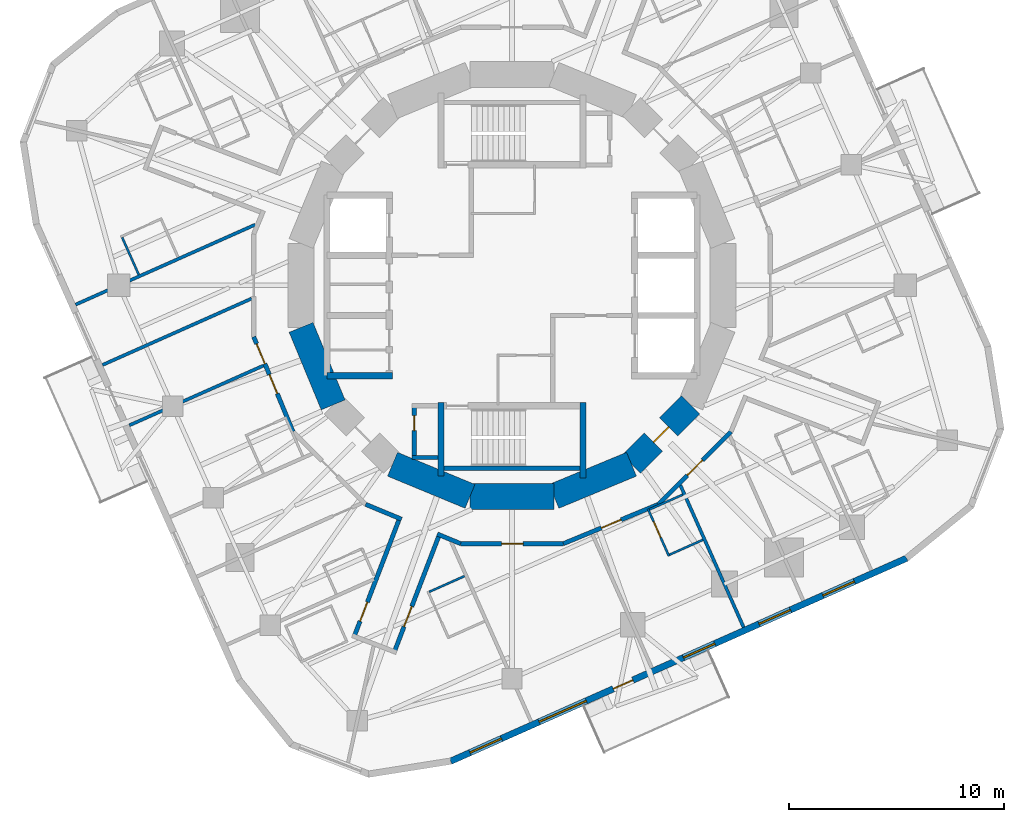
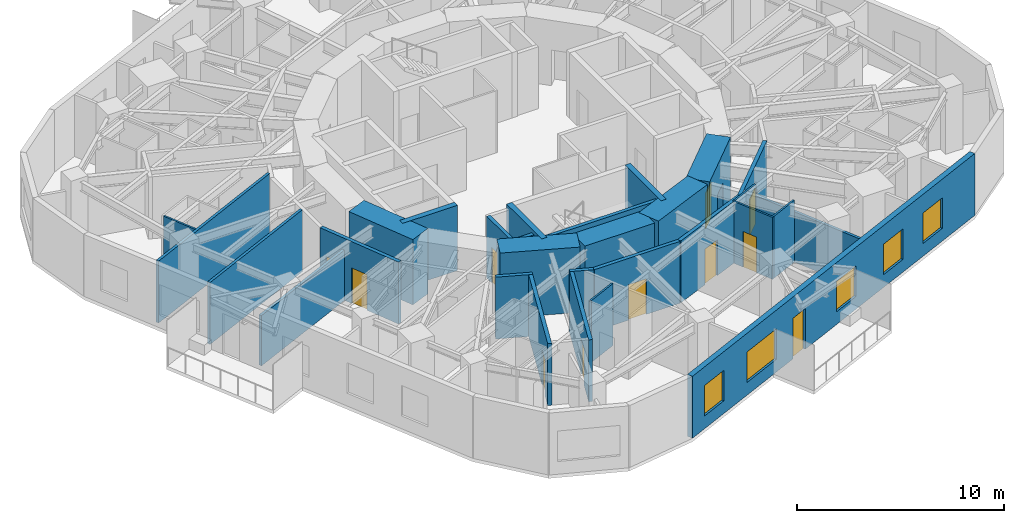
# One storey, part 5 of 12: 29 walls, 11 doors, 5 windows, 16 openings.
"""IFC4 building model written with IfcOpenShell, lengths in metres."""

from ifc_helpers import new_model, si_unit, direction, frame, frame_2d, origin, place, context, subcontext, project, spatial, rectangle, extrude, material, layer, layer_set, type_object, element, fill, save


model = new_model("IFC4")

# Units and contexts
model_context = context("Model", 3, precision=1e-05, world=origin(), true_north=direction((0.0, 1.0)))
body_context = subcontext(model_context, "Body", "Model", "MODEL_VIEW")
ifc_project = project(units=[si_unit("LENGTHUNIT", "METRE"), si_unit("AREAUNIT", "SQUARE_METRE"), si_unit("VOLUMEUNIT", "CUBIC_METRE"), si_unit("PLANEANGLEUNIT", "RADIAN"), si_unit("MASSUNIT", "GRAM", prefix="KILO")], contexts=[model_context])

# Site, building, storey
site_placement = place(None, origin())
site = spatial("IfcSite", under=ifc_project, at=site_placement, CompositionType="ELEMENT")
building_placement = place(site_placement, origin())
building = spatial("IfcBuilding", under=site, at=building_placement, Name="Nakasero Lantern House", CompositionType="ELEMENT")
storey_placement = place(building_placement, frame((0.0, 0.0, 205.550048828125)))
storey = spatial("IfcBuildingStorey", under=building, at=storey_placement, Name="L50", CompositionType="ELEMENT", Elevation=205.550048828125)

# Walls
ifc_material_1 = material(Name="Concrete C50/60", Category="concrete")
ifc_layer_1 = layer(ifc_material_1, 0.300048828125)
ifc_layer_set_1 = layer_set([ifc_layer_1], Name="Core inner wall 300")
wall_type_1 = type_object("IfcWallType", Name="Core inner wall 300", PredefinedType="SHEAR", material=ifc_layer_set_1)
wall_1_placement = place(storey_placement, frame((-8.60009765625, -4.199951171875, 0.0), z_axis=(0.0, 0.0, 1.0), x_axis=(1.0, 0.0, 0.0)))
element("IfcWall", 1, at=wall_1_placement, inside=storey, type_object=wall_type_1, Name="Core inner wall L50 LWS", PredefinedType="SHEAR", context=body_context, shape_type="SweptSolid", body=[
    extrude(rectangle(XDim=3.050048828125, YDim=0.300048828125, at=frame_2d((1.52490234375, 0.0))), origin(), (0.0, 0.0, 1.0), 3.849853515625),
])
wall_2_placement = place(storey_placement, frame((-3.300048828125, -5.449951171875, 0.0), z_axis=(0.0, 0.0, 1.0), x_axis=(0.0, -1.0, 0.0)))
element("IfcWall", 2, at=wall_2_placement, inside=storey, type_object=wall_type_1, Name="Core inner wall L50 SSW", PredefinedType="SHEAR", context=body_context, shape_type="SweptSolid", body=[
    extrude(rectangle(XDim=3.400146484375, YDim=0.300048828125, at=frame_2d((1.7001953125, 0.0))), origin(), (0.0, 0.0, 1.0), 3.849853515625),
])
wall_3_placement = place(storey_placement, frame((3.300048828125, -5.449951171875, 0.0), z_axis=(0.0, 0.0, 1.0), x_axis=(0.0, -1.0, 0.0)))
element("IfcWall", 3, at=wall_3_placement, inside=storey, type_object=wall_type_1, Name="Core inner wall L50 SSE", PredefinedType="SHEAR", context=body_context, shape_type="SweptSolid", body=[
    extrude(rectangle(XDim=3.5, YDim=0.300048828125, at=frame_2d((1.75, 0.0))), origin(), (0.0, 0.0, 1.0), 3.849853515625),
])
ifc_material_2 = material(Name="Concrete C50/60", Category="concrete")
ifc_layer_2 = layer(ifc_material_2, 1.199951171875)
ifc_layer_set_2 = layer_set([ifc_layer_2], Name="Core wall 1200")
wall_type_2 = type_object("IfcWallType", Name="Core wall 1200", PredefinedType="SHEAR", material=ifc_layer_set_2)
for number, where, z_axis, x_axis, name in (
    (4, (-9.807861328125, -1.950927734375, 0.0), (0.0, 0.0, 1.0), (0.382690736062, -0.923876507187, 0.0), "Core wall L50 facet 9"),
    (5, (-5.5556640625, -8.314697265625, 0.0), (0.0, 0.0, 1.0), (0.923876507187, -0.382690736062, 0.0), "Core wall L50 facet 11"),
    (6, (-1.950927734375, -9.807861328125, 0.0), (0.0, 0.0, 1.0), (1.0, 0.0, 0.0), "Core wall L50 facet 12"),
    (7, (1.950927734375, -9.807861328125, 0.0), (0.0, 0.0, 1.0), (0.923876507187, 0.382690736062, 0.0), "Core wall L50 facet 13"),
):
    element("IfcWall", number, at=place(storey_placement, frame(where, z_axis=z_axis, x_axis=x_axis)), inside=storey, type_object=wall_type_2, Name=name, PredefinedType="SHEAR", context=body_context, shape_type="SweptSolid", body=[
        extrude(rectangle(XDim=3.90185546875, YDim=1.199951171875, at=frame_2d((1.950927734375, 0.0))), origin(), (0.0, 0.0, 1.0), 3.849853515625),
    ])

# Wall, opening, door
wall_4_placement = place(storey_placement, frame((5.5556640625, -8.314697265625, 0.0), z_axis=(0.0, 0.0, 1.0), x_axis=(0.707106781187, 0.707106781187, 0.0)))
wall_4 = element("IfcWall", 8, at=wall_4_placement, inside=storey, type_object=wall_type_2, Name="Core wall L50 facet 14", PredefinedType="SHEAR", context=body_context, shape_type="SweptSolid", body=[
    extrude(rectangle(XDim=3.90185546875, YDim=1.199951171875, at=frame_2d((1.950927734375, 0.0))), origin(), (0.0, 0.0, 1.0), 3.849853515625),
])
opening_1_placement = place(wall_4_placement, frame((1.450927734375, 0.0, 0.0)))
opening_1 = element("IfcOpeningElement", 9, at=opening_1_placement, cuts=wall_4, Name="Opening D05", PredefinedType="OPENING", context=body_context, shape_type="SweptSolid", body=[
    extrude(rectangle(XDim=1.0, YDim=2.10009765625, at=frame_2d((0.5, 1.050048828125))), frame((0.0, 0.619873046875, 0.0), z_axis=(0.0, -1.0, 0.0), x_axis=(1.0, 0.0, 0.0)), (0.0, 0.0, 1.0), 1.239990234375),
])
ifc_material_3 = material(Name="Timber C24", Category="wood")
door_type_1 = type_object("IfcDoorType", Name="Core door FD60S 1000", OperationType="SINGLE_SWING_LEFT", PredefinedType="DOOR", material=ifc_material_3)
door_1_placement = place(opening_1_placement, origin())
door_1 = element("IfcDoor", 10, at=door_1_placement, inside=storey, type_object=door_type_1, Name="Door L50 D-CORE14", OperationType="SINGLE_SWING_LEFT", OverallHeight=2.10009765625, OverallWidth=1.0, PredefinedType="DOOR", context=body_context, shape_type="SweptSolid", body=[
    extrude(rectangle(XDim=1.0, YDim=2.10009765625, at=frame_2d((0.5, 1.050048828125))), frame((0.0, 0.02490234375, 0.0), z_axis=(0.0, -1.0, 0.0), x_axis=(1.0, 0.0, 0.0)), (0.0, 0.0, 1.0), 0.050048828125),
])
fill(opening_1, door_1)

ifc_material_4 = material(Name="Blockwork", Category="masonry")
ifc_layer_3 = layer(ifc_material_4, 0.199951171875)
ifc_layer_set_3 = layer_set([ifc_layer_3], Name="Corridor wall 200")
wall_type_3 = type_object("IfcWallType", Name="Corridor wall 200", PredefinedType="PARTITIONING", material=ifc_layer_set_3)
wall_5_placement = place(storey_placement, frame((10.1796875, -6.802001953125, 0.0), z_axis=(0.0, 0.0, 1.0), x_axis=(-0.707106781187, -0.707106781187, 0.0)))
wall_5 = element("IfcWall", 11, at=wall_5_placement, inside=storey, type_object=wall_type_3, Name="Corridor wall L50 RC02a", PredefinedType="PARTITIONING", context=body_context, shape_type="SweptSolid", body=[
    extrude(rectangle(XDim=4.77685546875, YDim=0.199951171875, at=frame_2d((2.388427734375, 0.0))), origin(), (0.0, 0.0, 1.0), 3.64990234375),
])
opening_2_placement = place(wall_5_placement, frame((1.8701171875, 0.0, 0.0)))
opening_2 = element("IfcOpeningElement", 12, at=opening_2_placement, cuts=wall_5, Name="Opening D14", PredefinedType="OPENING", context=body_context, shape_type="SweptSolid", body=[
    extrude(rectangle(XDim=1.0, YDim=2.10009765625, at=frame_2d((0.5, 1.050048828125))), frame((0.0, 0.119873046875, 0.0), z_axis=(0.0, -1.0, 0.0), x_axis=(1.0, 0.0, 0.0)), (0.0, 0.0, 1.0), 0.239990234375),
])
ifc_material_5 = material(Name="Timber C24", Category="wood")
door_type_2 = type_object("IfcDoorType", Name="Cluster entrance door FD30S 1000", OperationType="SINGLE_SWING_LEFT", PredefinedType="DOOR", material=ifc_material_5)
door_2_placement = place(opening_2_placement, origin())
door_2 = element("IfcDoor", 13, at=door_2_placement, inside=storey, type_object=door_type_2, Name="Door L50 D3-04", OperationType="SINGLE_SWING_LEFT", OverallHeight=2.10009765625, OverallWidth=1.0, PredefinedType="DOOR", context=body_context, shape_type="SweptSolid", body=[
    extrude(rectangle(XDim=1.0, YDim=2.10009765625, at=frame_2d((0.5, 1.050048828125))), frame((0.0, 0.02490234375, 0.0), z_axis=(0.0, -1.0, 0.0), x_axis=(1.0, 0.0, 0.0)), (0.0, 0.0, 1.0), 0.050048828125),
])
fill(opening_2, door_2)

wall_6_placement = place(storey_placement, frame((6.802001953125, -10.1796875, 0.0), z_axis=(0.0, 0.0, 1.0), x_axis=(-0.923882292998, -0.382676767893, 0.0)))
wall_6 = element("IfcWall", 14, at=wall_6_placement, inside=storey, type_object=wall_type_3, Name="Corridor wall L50 RC03a", PredefinedType="PARTITIONING", context=body_context, shape_type="SweptSolid", body=[
    extrude(rectangle(XDim=4.777099609375, YDim=0.199951171875, at=frame_2d((2.388671875, 0.0))), origin(), (0.0, 0.0, 1.0), 3.64990234375),
])
opening_3_placement = place(wall_6_placement, frame((1.8701171875, 0.0, 0.0)))
opening_3 = element("IfcOpeningElement", 15, at=opening_3_placement, cuts=wall_6, Name="Opening D07", PredefinedType="OPENING", context=body_context, shape_type="SweptSolid", body=[
    extrude(rectangle(XDim=1.0, YDim=2.10009765625, at=frame_2d((0.5, 1.050048828125))), frame((0.0, 0.119873046875, 0.0), z_axis=(0.0, -1.0, 0.0), x_axis=(1.0, 0.0, 0.0)), (0.0, 0.0, 1.0), 0.239990234375),
])
ifc_material_6 = material(Name="Timber C24", Category="wood")
door_type_3 = type_object("IfcDoorType", Name="Room door FD30S 1000", OperationType="SINGLE_SWING_LEFT", PredefinedType="DOOR", material=ifc_material_6)
door_3_placement = place(opening_3_placement, origin())
door_3 = element("IfcDoor", 16, at=door_3_placement, inside=storey, type_object=door_type_3, Name="Door L50 D3-03", OperationType="SINGLE_SWING_LEFT", OverallHeight=2.10009765625, OverallWidth=1.0, PredefinedType="DOOR", context=body_context, shape_type="SweptSolid", body=[
    extrude(rectangle(XDim=1.0, YDim=2.10009765625, at=frame_2d((0.5, 1.050048828125))), frame((0.0, 0.02490234375, 0.0), z_axis=(0.0, -1.0, 0.0), x_axis=(1.0, 0.0, 0.0)), (0.0, 0.0, 1.0), 0.050048828125),
])
fill(opening_3, door_3)

wall_7_placement = place(storey_placement, frame((2.388427734375, -12.0078125, 0.0), z_axis=(0.0, 0.0, 1.0), x_axis=(-1.0, 0.0, 0.0)))
wall_7 = element("IfcWall", 17, at=wall_7_placement, inside=storey, type_object=wall_type_3, Name="Corridor wall L50 RC04a", PredefinedType="PARTITIONING", context=body_context, shape_type="SweptSolid", body=[
    extrude(rectangle(XDim=4.77685546875, YDim=0.199951171875, at=frame_2d((2.388427734375, 0.0))), origin(), (0.0, 0.0, 1.0), 3.64990234375),
])
opening_4_placement = place(wall_7_placement, frame((1.8701171875, 0.0, 0.0)))
opening_4 = element("IfcOpeningElement", 18, at=opening_4_placement, cuts=wall_7, Name="Opening D03", PredefinedType="OPENING", context=body_context, shape_type="SweptSolid", body=[
    extrude(rectangle(XDim=1.0, YDim=2.10009765625, at=frame_2d((0.5, 1.050048828125))), frame((0.0, 0.119873046875, 0.0), z_axis=(0.0, -1.0, 0.0), x_axis=(1.0, 0.0, 0.0)), (0.0, 0.0, 1.0), 0.239990234375),
])
ifc_material_7 = material(Name="Timber C24", Category="wood")
door_type_4 = type_object("IfcDoorType", Name="Lounge door FD30S 1000", OperationType="SINGLE_SWING_LEFT", PredefinedType="DOOR", material=ifc_material_7)
door_4_placement = place(opening_4_placement, origin())
door_4 = element("IfcDoor", 19, at=door_4_placement, inside=storey, type_object=door_type_4, Name="Door L50 DK3", OperationType="SINGLE_SWING_LEFT", OverallHeight=2.10009765625, OverallWidth=1.0, PredefinedType="DOOR", context=body_context, shape_type="SweptSolid", body=[
    extrude(rectangle(XDim=1.0, YDim=2.10009765625, at=frame_2d((0.5, 1.050048828125))), frame((0.0, 0.02490234375, 0.0), z_axis=(0.0, -1.0, 0.0), x_axis=(1.0, 0.0, 0.0)), (0.0, 0.0, 1.0), 0.050048828125),
])
fill(opening_4, door_4)

# Walls
wall_8_placement = place(storey_placement, frame((-2.388427734375, -12.0078125, 0.0), z_axis=(0.0, 0.0, 1.0), x_axis=(-0.923874873612, 0.382694679749, 0.0)))
element("IfcWall", 20, at=wall_8_placement, inside=storey, type_object=wall_type_3, Name="Corridor wall L50 RC05a", PredefinedType="PARTITIONING", context=body_context, shape_type="SweptSolid", body=[
    extrude(rectangle(XDim=1.173828125, YDim=0.199951171875, at=frame_2d((0.5869140625, 0.0))), origin(), (0.0, 0.0, 1.0), 3.64990234375),
])
wall_9_placement = place(storey_placement, frame((-5.136474609375, -10.86962890625, 0.0), z_axis=(0.0, 0.0, 1.0), x_axis=(-0.923868276622, 0.382710605355, 0.0)))
element("IfcWall", 21, at=wall_9_placement, inside=storey, type_object=wall_type_3, Name="Corridor wall L50 RC05b", PredefinedType="PARTITIONING", context=body_context, shape_type="SweptSolid", body=[
    extrude(rectangle(XDim=1.802734375, YDim=0.199951171875, at=frame_2d((0.9013671875, 0.0))), origin(), (0.0, 0.0, 1.0), 3.64990234375),
])

# Wall, openings, doors
wall_10_placement = place(storey_placement, frame((-10.1796875, -6.802001953125, 0.0), z_axis=(0.0, 0.0, 1.0), x_axis=(-0.382676767893, 0.923882292998, 0.0)))
wall_10 = element("IfcWall", 22, at=wall_10_placement, inside=storey, type_object=wall_type_3, Name="Corridor wall L50 RC07a", PredefinedType="PARTITIONING", context=body_context, shape_type="SweptSolid", body=[
    extrude(rectangle(XDim=4.777099609375, YDim=0.199951171875, at=frame_2d((2.388671875, 0.0))), origin(), (0.0, 0.0, 1.0), 3.64990234375),
])
opening_5_placement = place(wall_10_placement, frame((1.919921875, 0.0, 0.0)))
opening_5 = element("IfcOpeningElement", 23, at=opening_5_placement, cuts=wall_10, Name="Opening D01", PredefinedType="OPENING", context=body_context, shape_type="SweptSolid", body=[
    extrude(rectangle(XDim=0.949951171875, YDim=2.10009765625, at=frame_2d((0.47509765625, 1.050048828125))), frame((0.0, 0.119873046875, 0.0), z_axis=(0.0, -1.0, 0.0), x_axis=(1.0, 0.0, 0.0)), (0.0, 0.0, 1.0), 0.239990234375),
])
opening_6_placement = place(wall_10_placement, frame((3.419921875, 0.0, 0.0)))
opening_6 = element("IfcOpeningElement", 24, at=opening_6_placement, cuts=wall_10, Name="Opening D03", PredefinedType="OPENING", context=body_context, shape_type="SweptSolid", body=[
    extrude(rectangle(XDim=1.0, YDim=2.10009765625, at=frame_2d((0.5, 1.050048828125))), frame((0.0, 0.119873046875, 0.0), z_axis=(0.0, -1.0, 0.0), x_axis=(1.0, 0.0, 0.0)), (0.0, 0.0, 1.0), 0.239990234375),
])
ifc_material_8 = material(Name="Timber C24", Category="wood")
door_type_5 = type_object("IfcDoorType", Name="Bedroom door FD30S 950", OperationType="SINGLE_SWING_LEFT", PredefinedType="DOOR", material=ifc_material_8)
door_5_placement = place(opening_5_placement, origin())
door_5 = element("IfcDoor", 25, at=door_5_placement, inside=storey, type_object=door_type_5, Name="Door L50 D2-03", OperationType="SINGLE_SWING_RIGHT", OverallHeight=2.10009765625, OverallWidth=0.949951171875, PredefinedType="DOOR", context=body_context, shape_type="SweptSolid", body=[
    extrude(rectangle(XDim=0.949951171875, YDim=2.10009765625, at=frame_2d((0.47509765625, 1.050048828125))), frame((0.0, 0.02490234375, 0.0), z_axis=(0.0, -1.0, 0.0), x_axis=(1.0, 0.0, 0.0)), (0.0, 0.0, 1.0), 0.050048828125),
])
fill(opening_5, door_5)
door_6_placement = place(opening_6_placement, origin())
door_6 = element("IfcDoor", 26, at=door_6_placement, inside=storey, type_object=door_type_4, Name="Door L50 DK2-1", OperationType="SINGLE_SWING_RIGHT", OverallHeight=2.10009765625, OverallWidth=1.0, PredefinedType="DOOR", context=body_context, shape_type="SweptSolid", body=[
    extrude(rectangle(XDim=1.0, YDim=2.10009765625, at=frame_2d((0.5, 1.050048828125))), frame((0.0, 0.02490234375, 0.0), z_axis=(0.0, -1.0, 0.0), x_axis=(1.0, 0.0, 0.0)), (0.0, 0.0, 1.0), 0.050048828125),
])
fill(opening_6, door_6)

# Wall, opening, door
wall_11_placement = place(storey_placement, frame((-5.22900390625, -10.831298828125, 0.0), z_axis=(0.0, 0.0, 1.0), x_axis=(-0.358357154711, -0.933584570174, 0.0)))
wall_11 = element("IfcWall", 27, at=wall_11_placement, inside=storey, type_object=wall_type_3, Name="Corridor wall L50 SP2a", PredefinedType="PARTITIONING", context=body_context, shape_type="SweptSolid", body=[
    extrude(rectangle(XDim=5.97216796875, YDim=0.199951171875, at=frame_2d((2.986083984375, 0.0))), origin(), (0.0, 0.0, 1.0), 3.64990234375),
])
opening_7_placement = place(wall_11_placement, frame((4.169921875, 0.0, 0.0)))
opening_7 = element("IfcOpeningElement", 28, at=opening_7_placement, cuts=wall_11, Name="Opening D01", PredefinedType="OPENING", context=body_context, shape_type="SweptSolid", body=[
    extrude(rectangle(XDim=0.949951171875, YDim=2.10009765625, at=frame_2d((0.47509765625, 1.050048828125))), frame((0.0, 0.119873046875, 0.0), z_axis=(0.0, -1.0, 0.0), x_axis=(1.0, 0.0, 0.0)), (0.0, 0.0, 1.0), 0.239990234375),
])
door_7_placement = place(opening_7_placement, origin())
door_7 = element("IfcDoor", 29, at=door_7_placement, inside=storey, type_object=door_type_5, Name="Door L50 D2-06", OperationType="SINGLE_SWING_RIGHT", OverallHeight=2.10009765625, OverallWidth=0.949951171875, PredefinedType="DOOR", context=body_context, shape_type="SweptSolid", body=[
    extrude(rectangle(XDim=0.949951171875, YDim=2.10009765625, at=frame_2d((0.47509765625, 1.050048828125))), frame((0.0, 0.02490234375, 0.0), z_axis=(0.0, -1.0, 0.0), x_axis=(1.0, 0.0, 0.0)), (0.0, 0.0, 1.0), 0.050048828125),
])
fill(opening_7, door_7)

wall_12_placement = place(storey_placement, frame((-3.380615234375, -11.596923828125, 0.0), z_axis=(0.0, 0.0, 1.0), x_axis=(-0.358362690674, -0.933582445172, 0.0)))
wall_12 = element("IfcWall", 30, at=wall_12_placement, inside=storey, type_object=wall_type_3, Name="Corridor wall L50 SP2b", PredefinedType="PARTITIONING", context=body_context, shape_type="SweptSolid", body=[
    extrude(rectangle(XDim=5.91943359375, YDim=0.199951171875, at=frame_2d((2.959716796875, 0.0))), origin(), (0.0, 0.0, 1.0), 3.64990234375),
])
opening_8_placement = place(wall_12_placement, frame((3.570068359375, 0.0, 0.0)))
opening_8 = element("IfcOpeningElement", 31, at=opening_8_placement, cuts=wall_12, Name="Opening D07", PredefinedType="OPENING", context=body_context, shape_type="SweptSolid", body=[
    extrude(rectangle(XDim=1.0, YDim=2.10009765625, at=frame_2d((0.5, 1.050048828125))), frame((0.0, 0.119873046875, 0.0), z_axis=(0.0, -1.0, 0.0), x_axis=(1.0, 0.0, 0.0)), (0.0, 0.0, 1.0), 0.239990234375),
])
door_8_placement = place(opening_8_placement, origin())
door_8 = element("IfcDoor", 32, at=door_8_placement, inside=storey, type_object=door_type_3, Name="Door L50 D3-00", OperationType="SINGLE_SWING_RIGHT", OverallHeight=2.10009765625, OverallWidth=1.0, PredefinedType="DOOR", context=body_context, shape_type="SweptSolid", body=[
    extrude(rectangle(XDim=1.0, YDim=2.10009765625, at=frame_2d((0.5, 1.050048828125))), frame((0.0, 0.02490234375, 0.0), z_axis=(0.0, -1.0, 0.0), x_axis=(1.0, 0.0, 0.0)), (0.0, 0.0, 1.0), 0.050048828125),
])
fill(opening_8, door_8)

# Walls
ifc_material_9 = material(Name="Blockwork", Category="masonry")
ifc_layer_4 = layer(ifc_material_9, 0.10009765625)
ifc_layer_set_4 = layer_set([ifc_layer_4], Name="En-suite wall 100")
wall_type_4 = type_object("IfcWallType", Name="En-suite wall 100", PredefinedType="PARTITIONING", material=ifc_layer_set_4)
wall_13_placement = place(storey_placement, frame((-18.12451171875, 2.2314453125, 0.0), z_axis=(0.0, 0.0, 1.0), x_axis=(0.406674880245, -0.913572953725, 0.0)))
element("IfcWall", 33, at=wall_13_placement, inside=storey, type_object=wall_type_4, Name="En-suite wall L50 EE2-00", PredefinedType="PARTITIONING", context=body_context, shape_type="SweptSolid", body=[
    extrude(rectangle(XDim=1.900146484375, YDim=0.10009765625, at=frame_2d((0.9501953125, 0.0))), origin(), (0.0, 0.0, 1.0), 3.64990234375),
])
wall_14_placement = place(storey_placement, frame((-3.84814453125, -14.246826171875, 0.0), z_axis=(0.0, 0.0, 1.0), x_axis=(0.913576462288, 0.406666998358, 0.0)))
element("IfcWall", 34, at=wall_14_placement, inside=storey, type_object=wall_type_4, Name="En-suite wall L50 EI3-00", PredefinedType="PARTITIONING", context=body_context, shape_type="SweptSolid", body=[
    extrude(rectangle(XDim=1.7998046875, YDim=0.10009765625, at=frame_2d((0.89990234375, 0.0))), origin(), (0.0, 0.0, 1.0), 3.64990234375),
])

# Wall, opening, door
wall_15_placement = place(storey_placement, frame((6.32177734375, -10.39404296875, 0.0), z_axis=(0.0, 0.0, 1.0), x_axis=(0.406685806039, -0.913568090055, 0.0)))
wall_15 = element("IfcWall", 35, at=wall_15_placement, inside=storey, type_object=wall_type_4, Name="En-suite wall L50 ES3-03", PredefinedType="PARTITIONING", context=body_context, shape_type="SweptSolid", body=[
    extrude(rectangle(XDim=2.400146484375, YDim=0.10009765625, at=frame_2d((1.2001953125, 0.0))), origin(), (0.0, 0.0, 1.0), 3.64990234375),
])
opening_9_placement = place(wall_15_placement, frame((0.64990234375, 0.0, 0.0)))
opening_9 = element("IfcOpeningElement", 36, at=opening_9_placement, cuts=wall_15, Name="Opening D15", PredefinedType="OPENING", context=body_context, shape_type="SweptSolid", body=[
    extrude(rectangle(XDim=0.800048828125, YDim=2.10009765625, at=frame_2d((0.39990234375, 1.050048828125))), frame((0.0, 0.070068359375, 0.0), z_axis=(0.0, -1.0, 0.0), x_axis=(1.0, 0.0, 0.0)), (0.0, 0.0, 1.0), 0.14013671875),
])
ifc_material_10 = material(Name="Timber C24", Category="wood")
door_type_6 = type_object("IfcDoorType", Name="Cleaner's store door FD30S 800", OperationType="SINGLE_SWING_LEFT", PredefinedType="DOOR", material=ifc_material_10)
door_9_placement = place(opening_9_placement, origin())
door_9 = element("IfcDoor", 37, at=door_9_placement, inside=storey, type_object=door_type_6, Name="Door L50 DE3-03", OperationType="SINGLE_SWING_LEFT", OverallHeight=2.10009765625, OverallWidth=0.800048828125, PredefinedType="DOOR", context=body_context, shape_type="SweptSolid", body=[
    extrude(rectangle(XDim=0.800048828125, YDim=2.10009765625, at=frame_2d((0.39990234375, 1.050048828125))), frame((0.0, 0.02490234375, 0.0), z_axis=(0.0, -1.0, 0.0), x_axis=(1.0, 0.0, 0.0)), (0.0, 0.0, 1.0), 0.050048828125),
])
fill(opening_9, door_9)

# Walls
for number, where, z_axis, x_axis, name in (
    (38, (7.3232421875, -12.5205078125, 0.0), (0.0, 0.0, 1.0), (0.913550776237, 0.406724697108, 0.0), "En-suite wall L50 EE3-03"),
    (39, (6.3876953125, -10.41943359375, 0.0), (0.0, 0.0, 1.0), (0.913550776237, 0.406724697108, 0.0), "En-suite wall L50 EI3-03"),
):
    element("IfcWall", number, at=place(storey_placement, frame(where, z_axis=z_axis, x_axis=x_axis)), inside=storey, type_object=wall_type_4, Name=name, PredefinedType="PARTITIONING", context=body_context, shape_type="SweptSolid", body=[
        extrude(rectangle(XDim=1.699951171875, YDim=0.10009765625, at=frame_2d((0.85009765625, 0.0))), origin(), (0.0, 0.0, 1.0), 3.64990234375),
    ])

# Wall, openings, door, windows
ifc_material_11 = material(Name="Aluminium rainscreen on blockwork", Category="masonry")
ifc_layer_5 = layer(ifc_material_11, 0.300048828125)
ifc_layer_set_5 = layer_set([ifc_layer_5], Name="Facade wall 300")
wall_type_5 = type_object("IfcWallType", Name="Facade wall 300", PredefinedType="SOLIDWALL", material=ifc_layer_set_5)
wall_16_placement = place(storey_placement, frame((-2.848876953125, -22.12109375, 0.0), z_axis=(0.0, 0.0, 1.0), x_axis=(0.913546210851, 0.406734951338, 0.0)))
wall_16 = element("IfcWall", 40, at=wall_16_placement, inside=storey, type_object=wall_type_5, Name="Facade wall L50 FW3S", PredefinedType="SOLIDWALL", context=body_context, shape_type="SweptSolid", body=[
    extrude(rectangle(XDim=23.199951171875, YDim=0.300048828125, at=frame_2d((11.60009765625, 0.0))), origin(), (0.0, 0.0, 1.0), 3.64990234375),
])
opening_10_placement = place(wall_16_placement, frame((0.982421875, 0.0, 0.75)))
opening_10 = element("IfcOpeningElement", 41, at=opening_10_placement, cuts=wall_16, Name="Opening W01", PredefinedType="OPENING", context=body_context, shape_type="SweptSolid", body=[
    extrude(rectangle(XDim=1.60009765625, YDim=1.800048828125, at=frame_2d((0.800048828125, 0.89990234375))), frame((0.0, 0.169921875, 0.0), z_axis=(0.0, -1.0, 0.0), x_axis=(1.0, 0.0, 0.0)), (0.0, 0.0, 1.0), 0.340087890625),
])
opening_11_placement = place(wall_16_placement, frame((11.83984375, 0.0, 0.75)))
opening_11 = element("IfcOpeningElement", 42, at=opening_11_placement, cuts=wall_16, Name="Opening W01", PredefinedType="OPENING", context=body_context, shape_type="SweptSolid", body=[
    extrude(rectangle(XDim=1.60009765625, YDim=1.800048828125, at=frame_2d((0.800048828125, 0.89990234375))), frame((0.0, 0.169921875, 0.0), z_axis=(0.0, -1.0, 0.0), x_axis=(1.0, 0.0, 0.0)), (0.0, 0.0, 1.0), 0.340087890625),
])
opening_12_placement = place(wall_16_placement, frame((15.69140625, 0.0, 0.75)))
opening_12 = element("IfcOpeningElement", 43, at=opening_12_placement, cuts=wall_16, Name="Opening W01", PredefinedType="OPENING", context=body_context, shape_type="SweptSolid", body=[
    extrude(rectangle(XDim=1.60009765625, YDim=1.800048828125, at=frame_2d((0.800048828125, 0.89990234375))), frame((0.0, 0.169921875, 0.0), z_axis=(0.0, -1.0, 0.0), x_axis=(1.0, 0.0, 0.0)), (0.0, 0.0, 1.0), 0.340087890625),
])
opening_13_placement = place(wall_16_placement, frame((18.940185546875, 0.0, 0.75)))
opening_13 = element("IfcOpeningElement", 44, at=opening_13_placement, cuts=wall_16, Name="Opening W01", PredefinedType="OPENING", context=body_context, shape_type="SweptSolid", body=[
    extrude(rectangle(XDim=1.60009765625, YDim=1.800048828125, at=frame_2d((0.800048828125, 0.89990234375))), frame((0.0, 0.169921875, 0.0), z_axis=(0.0, -1.0, 0.0), x_axis=(1.0, 0.0, 0.0)), (0.0, 0.0, 1.0), 0.340087890625),
])
opening_14_placement = place(wall_16_placement, frame((4.500244140625, 0.0, 0.75)))
opening_14 = element("IfcOpeningElement", 45, at=opening_14_placement, cuts=wall_16, Name="Opening W03", PredefinedType="OPENING", context=body_context, shape_type="SweptSolid", body=[
    extrude(rectangle(XDim=2.39990234375, YDim=1.800048828125, at=frame_2d((1.199951171875, 0.89990234375))), frame((0.0, 0.169921875, 0.0), z_axis=(0.0, -1.0, 0.0), x_axis=(1.0, 0.0, 0.0)), (0.0, 0.0, 1.0), 0.340087890625),
])
opening_15_placement = place(wall_16_placement, frame((8.271484375, 0.0, 0.0)))
opening_15 = element("IfcOpeningElement", 46, at=opening_15_placement, cuts=wall_16, Name="Opening D04", PredefinedType="OPENING", context=body_context, shape_type="SweptSolid", body=[
    extrude(rectangle(XDim=1.0, YDim=2.39990234375, at=frame_2d((0.5, 1.199951171875))), frame((0.0, 0.169921875, 0.0), z_axis=(0.0, -1.0, 0.0), x_axis=(1.0, 0.0, 0.0)), (0.0, 0.0, 1.0), 0.340087890625),
])
ifc_material_12 = material(Name="Aluminium 6063-T6 and glass", Category="aluminium")
door_type_7 = type_object("IfcDoorType", Name="Balcony door 1000x2400", OperationType="SINGLE_SWING_RIGHT", PredefinedType="DOOR", material=ifc_material_12)
door_10_placement = place(opening_15_placement, origin())
door_10 = element("IfcDoor", 47, at=door_10_placement, inside=storey, type_object=door_type_7, Name="Balcony door L50 DB3", OperationType="SINGLE_SWING_RIGHT", OverallHeight=2.39990234375, OverallWidth=1.0, PredefinedType="DOOR", context=body_context, shape_type="SweptSolid", body=[
    extrude(rectangle(XDim=1.0, YDim=2.39990234375, at=frame_2d((0.5, 1.199951171875))), frame((0.0, 0.02490234375, 0.0), z_axis=(0.0, -1.0, 0.0), x_axis=(1.0, 0.0, 0.0)), (0.0, 0.0, 1.0), 0.050048828125),
])
fill(opening_15, door_10)
ifc_material_13 = material(Name="Aluminium 6063-T6 and glass", Category="aluminium")
window_type_1 = type_object("IfcWindowType", Name="Bedroom window 1600x1800", PartitioningType="SINGLE_PANEL", PredefinedType="WINDOW", material=ifc_material_13)
window_1_placement = place(opening_10_placement, origin())
window_1 = element("IfcWindow", 48, at=window_1_placement, inside=storey, type_object=window_type_1, Name="Window L50 WN3-00", OverallHeight=1.800048828125, OverallWidth=1.60009765625, PartitioningType="SINGLE_PANEL", PredefinedType="WINDOW", context=body_context, shape_type="SweptSolid", body=[
    extrude(rectangle(XDim=1.60009765625, YDim=1.800048828125, at=frame_2d((0.800048828125, 0.89990234375))), frame((0.0, 0.030029296875, 0.0), z_axis=(0.0, -1.0, 0.0), x_axis=(1.0, 0.0, 0.0)), (0.0, 0.0, 1.0), 0.06005859375),
])
fill(opening_10, window_1)
window_2_placement = place(opening_11_placement, origin())
window_2 = element("IfcWindow", 49, at=window_2_placement, inside=storey, type_object=window_type_1, Name="Window L50 WN3-03", OverallHeight=1.800048828125, OverallWidth=1.60009765625, PartitioningType="SINGLE_PANEL", PredefinedType="WINDOW", context=body_context, shape_type="SweptSolid", body=[
    extrude(rectangle(XDim=1.60009765625, YDim=1.800048828125, at=frame_2d((0.800048828125, 0.89990234375))), frame((0.0, 0.030029296875, 0.0), z_axis=(0.0, -1.0, 0.0), x_axis=(1.0, 0.0, 0.0)), (0.0, 0.0, 1.0), 0.06005859375),
])
fill(opening_11, window_2)
window_3_placement = place(opening_12_placement, origin())
window_3 = element("IfcWindow", 50, at=window_3_placement, inside=storey, type_object=window_type_1, Name="Window L50 WN3-04", OverallHeight=1.800048828125, OverallWidth=1.60009765625, PartitioningType="SINGLE_PANEL", PredefinedType="WINDOW", context=body_context, shape_type="SweptSolid", body=[
    extrude(rectangle(XDim=1.60009765625, YDim=1.800048828125, at=frame_2d((0.800048828125, 0.89990234375))), frame((0.0, 0.030029296875, 0.0), z_axis=(0.0, -1.0, 0.0), x_axis=(1.0, 0.0, 0.0)), (0.0, 0.0, 1.0), 0.06005859375),
])
fill(opening_12, window_3)
window_4_placement = place(opening_13_placement, origin())
window_4 = element("IfcWindow", 51, at=window_4_placement, inside=storey, type_object=window_type_1, Name="Window L50 WN3-05", OverallHeight=1.800048828125, OverallWidth=1.60009765625, PartitioningType="SINGLE_PANEL", PredefinedType="WINDOW", context=body_context, shape_type="SweptSolid", body=[
    extrude(rectangle(XDim=1.60009765625, YDim=1.800048828125, at=frame_2d((0.800048828125, 0.89990234375))), frame((0.0, 0.030029296875, 0.0), z_axis=(0.0, -1.0, 0.0), x_axis=(1.0, 0.0, 0.0)), (0.0, 0.0, 1.0), 0.06005859375),
])
fill(opening_13, window_4)
ifc_material_14 = material(Name="Aluminium 6063-T6 and glass", Category="aluminium")
window_type_2 = type_object("IfcWindowType", Name="Lounge window 2400x1800", PartitioningType="SINGLE_PANEL", PredefinedType="WINDOW", material=ifc_material_14)
window_5_placement = place(opening_14_placement, origin())
window_5 = element("IfcWindow", 52, at=window_5_placement, inside=storey, type_object=window_type_2, Name="Window L50 WK3", OverallHeight=1.800048828125, OverallWidth=2.39990234375, PartitioningType="SINGLE_PANEL", PredefinedType="WINDOW", context=body_context, shape_type="SweptSolid", body=[
    extrude(rectangle(XDim=2.39990234375, YDim=1.800048828125, at=frame_2d((1.199951171875, 0.89990234375))), frame((0.0, 0.030029296875, 0.0), z_axis=(0.0, -1.0, 0.0), x_axis=(1.0, 0.0, 0.0)), (0.0, 0.0, 1.0), 0.06005859375),
])
fill(opening_14, window_5)

# Wall, opening, door
ifc_material_15 = material(Name="Blockwork", Category="masonry")
ifc_layer_6 = layer(ifc_material_15, 0.199951171875)
ifc_layer_set_6 = layer_set([ifc_layer_6], Name="Fire lobby wall 200")
wall_type_6 = type_object("IfcWallType", Name="Fire lobby wall 200", PredefinedType="PARTITIONING", material=ifc_layer_set_6)
wall_17_placement = place(storey_placement, frame((-4.550048828125, -5.60009765625, 0.0), z_axis=(0.0, 0.0, 1.0), x_axis=(0.0, -1.0, 0.0)))
wall_17 = element("IfcWall", 53, at=wall_17_placement, inside=storey, type_object=wall_type_6, Name="Fire lobby wall L50 W-RS2W", PredefinedType="PARTITIONING", context=body_context, shape_type="SweptSolid", body=[
    extrude(rectangle(XDim=2.39990234375, YDim=0.199951171875, at=frame_2d((1.199951171875, 0.0))), origin(), (0.0, 0.0, 1.0), 3.64990234375),
])
opening_16_placement = place(wall_17_placement, frame((0.449951171875, 0.0, 0.0)))
opening_16 = element("IfcOpeningElement", 54, at=opening_16_placement, cuts=wall_17, Name="Opening D06", PredefinedType="OPENING", context=body_context, shape_type="SweptSolid", body=[
    extrude(rectangle(XDim=0.699951171875, YDim=2.10009765625, at=frame_2d((0.35009765625, 1.050048828125))), frame((0.0, 0.119873046875, 0.0), z_axis=(0.0, -1.0, 0.0), x_axis=(1.0, 0.0, 0.0)), (0.0, 0.0, 1.0), 0.239990234375),
])
ifc_material_16 = material(Name="Steel S355", Category="steel")
door_type_8 = type_object("IfcDoorType", Name="Riser door FD60 700", OperationType="SINGLE_SWING_LEFT", PredefinedType="DOOR", material=ifc_material_16)
door_11_placement = place(opening_16_placement, origin())
door_11 = element("IfcDoor", 55, at=door_11_placement, inside=storey, type_object=door_type_8, Name="Door L50 D-RS2", OperationType="SINGLE_SWING_LEFT", OverallHeight=2.10009765625, OverallWidth=0.699951171875, PredefinedType="DOOR", context=body_context, shape_type="SweptSolid", body=[
    extrude(rectangle(XDim=0.699951171875, YDim=2.10009765625, at=frame_2d((0.35009765625, 1.050048828125))), frame((0.0, 0.02490234375, 0.0), z_axis=(0.0, -1.0, 0.0), x_axis=(1.0, 0.0, 0.0)), (0.0, 0.0, 1.0), 0.050048828125),
])
fill(opening_16, door_11)

# Walls
wall_18_placement = place(storey_placement, frame((-3.449951171875, -8.0, 0.0), z_axis=(0.0, 0.0, 1.0), x_axis=(-1.0, 0.0, 0.0)))
element("IfcWall", 56, at=wall_18_placement, inside=storey, type_object=wall_type_6, Name="Fire lobby wall L50 W-RS2S", PredefinedType="PARTITIONING", context=body_context, shape_type="SweptSolid", body=[
    extrude(rectangle(XDim=1.199951171875, YDim=0.199951171875, at=frame_2d((0.60009765625, 0.0))), origin(), (0.0, 0.0, 1.0), 3.64990234375),
])
wall_19_placement = place(storey_placement, frame((-3.300048828125, -8.5, 0.0), z_axis=(0.0, 0.0, 1.0), x_axis=(1.0, 0.0, 0.0)))
element("IfcWall", 57, at=wall_19_placement, inside=storey, type_object=wall_type_6, Name="Fire lobby wall L50 W-STS", PredefinedType="PARTITIONING", context=body_context, shape_type="SweptSolid", body=[
    extrude(rectangle(XDim=6.60009765625, YDim=0.199951171875, at=frame_2d((3.300048828125, 0.0))), origin(), (0.0, 0.0, 1.0), 3.64990234375),
])
ifc_material_17 = material(Name="Blockwork", Category="masonry")
ifc_layer_7 = layer(ifc_material_17, 0.14990234375)
ifc_layer_set_7 = layer_set([ifc_layer_7], Name="Party wall 150")
wall_type_7 = type_object("IfcWallType", Name="Party wall 150", PredefinedType="PARTITIONING", material=ifc_layer_set_7)
wall_20_placement = place(storey_placement, frame((-11.935302734375, 2.824951171875, 0.0), z_axis=(0.0, 0.0, 1.0), x_axis=(-0.91355156837, -0.40672291788, 0.0)))
element("IfcWall", 58, at=wall_20_placement, inside=storey, type_object=wall_type_7, Name="Party wall L50 PW2-01", PredefinedType="PARTITIONING", context=body_context, shape_type="SweptSolid", body=[
    extrude(rectangle(XDim=9.1455078125, YDim=0.14990234375, at=frame_2d((4.57275390625, 0.0))), origin(), (0.0, 0.0, 1.0), 3.64990234375),
])
wall_21_placement = place(storey_placement, frame((-12.10791015625, -0.61376953125, 0.0), z_axis=(0.0, 0.0, 1.0), x_axis=(-0.913552679772, -0.406720421521, 0.0)))
element("IfcWall", 59, at=wall_21_placement, inside=storey, type_object=wall_type_7, Name="Party wall L50 PW2-02", PredefinedType="PARTITIONING", context=body_context, shape_type="SweptSolid", body=[
    extrude(rectangle(XDim=7.589111328125, YDim=0.14990234375, at=frame_2d((3.79443359375, 0.0))), origin(), (0.0, 0.0, 1.0), 3.64990234375),
])
wall_22_placement = place(storey_placement, frame((-11.559814453125, -3.7314453125, 0.0), z_axis=(0.0, 0.0, 1.0), x_axis=(-0.913544226514, -0.406739408224, 0.0)))
element("IfcWall", 60, at=wall_22_placement, inside=storey, type_object=wall_type_7, Name="Party wall L50 PW2-03", PredefinedType="PARTITIONING", context=body_context, shape_type="SweptSolid", body=[
    extrude(rectangle(XDim=6.82177734375, YDim=0.14990234375, at=frame_2d((3.410888671875, 0.0))), origin(), (0.0, 0.0, 1.0), 2.966552734375),
])
wall_23_placement = place(storey_placement, frame((7.829345703125, -9.293701171875, 0.0), z_axis=(0.0, 0.0, 1.0), x_axis=(0.406759125496, -0.913535447493, 0.0)))
element("IfcWall", 61, at=wall_23_placement, inside=storey, type_object=wall_type_7, Name="Party wall L50 PW3-04", PredefinedType="PARTITIONING", context=body_context, shape_type="SweptSolid", body=[
    extrude(rectangle(XDim=7.225341796875, YDim=0.14990234375, at=frame_2d((3.61279296875, 0.0))), origin(), (0.0, 0.0, 1.0), 2.966552734375),
])

save(model, "model.ifc")
